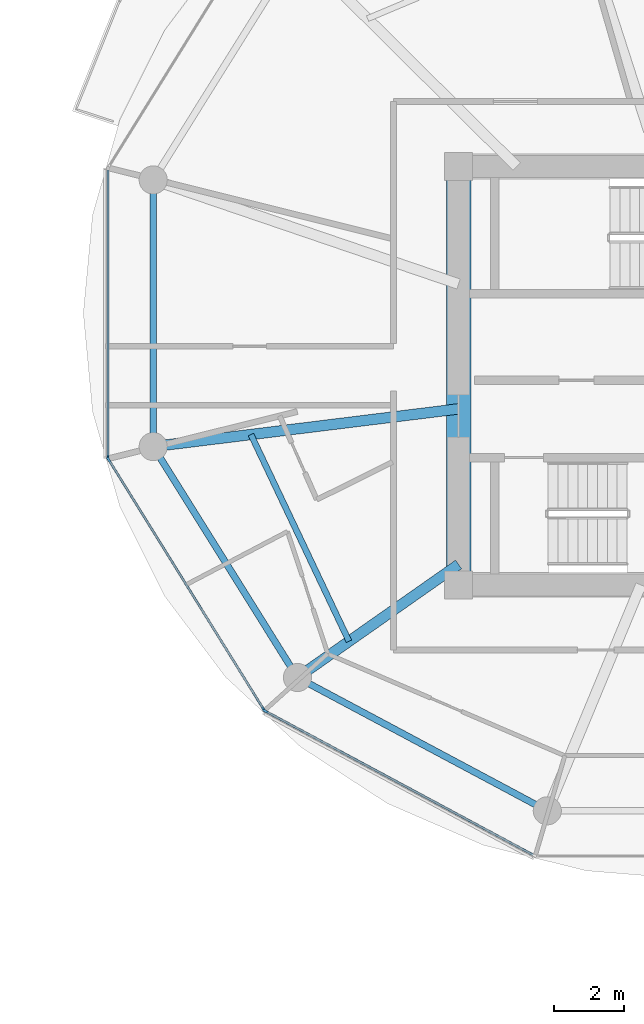
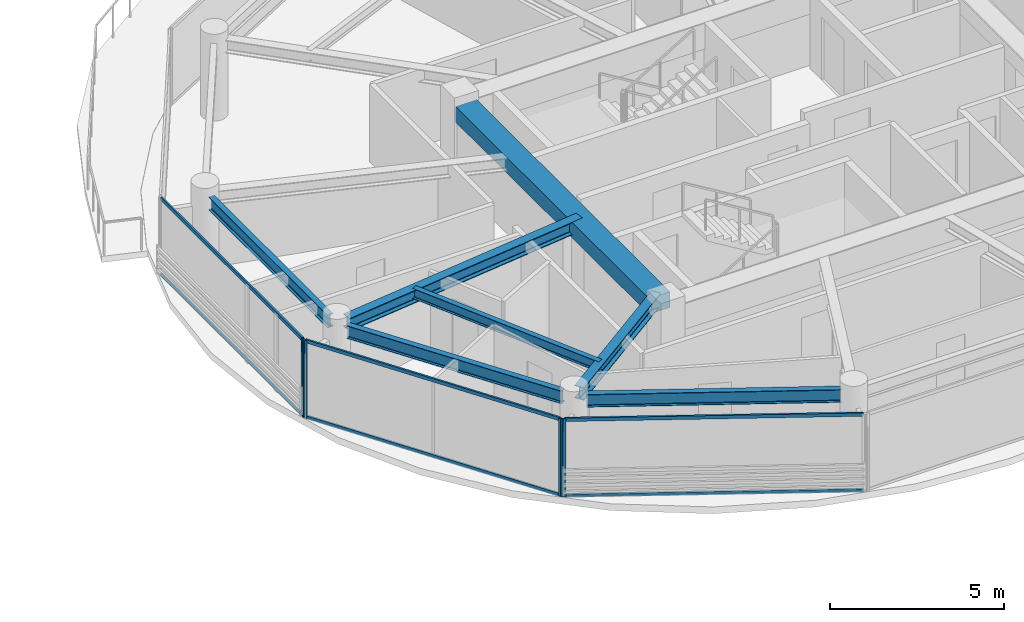
# One storey, part 6 of 22: 10 members, 7 beams, 3 elements without a shape of their own.
"""IFC4 building model written with IfcOpenShell, lengths in metres."""

from ifc_helpers import new_model, si_unit, direction, frame, origin, origin_2d, place, context, subcontext, project, spatial, rectangle, i_section, extrude, source, transform, mapped, material, layer, layer_set, material_profile, profile_set, type_object, type_shapes, element, aggregate, save


model = new_model("IFC4")

# Units and contexts
model_context = context("Model", 3, precision=1e-05, world=origin(), true_north=direction((0.0, 1.0)))
body_context = subcontext(model_context, "Body", "Model", "MODEL_VIEW")
ifc_project = project(units=[si_unit("LENGTHUNIT", "METRE"), si_unit("AREAUNIT", "SQUARE_METRE"), si_unit("VOLUMEUNIT", "CUBIC_METRE"), si_unit("PLANEANGLEUNIT", "RADIAN"), si_unit("MASSUNIT", "GRAM", prefix="KILO")], contexts=[model_context])

# Site, building, storey
site_placement = place(None, origin())
site = spatial("IfcSite", under=ifc_project, at=site_placement, CompositionType="ELEMENT")
building_placement = place(site_placement, origin())
building = spatial("IfcBuilding", under=site, at=building_placement, Name="Norrkilde Senior Care Towers", CompositionType="ELEMENT")
storey_placement = place(building_placement, frame((0.0, 0.0, 183.10009765625)))
storey = spatial("IfcBuildingStorey", under=building, at=storey_placement, Name="L57", CompositionType="ELEMENT", Elevation=183.10009765625)

# Beams
ifc_material_1 = material(Name="Concrete C60/75", Category="concrete")
ifc_material_profile_1 = material_profile(ifc_material_1, rectangle(XDim=0.699951171875, YDim=0.550048828125, at=origin_2d()), Name="RC BM 700x550")
ifc_profile_set_1 = profile_set([ifc_material_profile_1], Name="Concrete C60/75")
beam_type_1 = type_object("IfcBeamType", Name="Core Portal Coupling Beam 700x550", PredefinedType="USERDEFINED", material=ifc_profile_set_1)
shared_shape_1 = source(origin(), body_context, "Body", "SweptSolid", [
    extrude(rectangle(XDim=0.699951171875, YDim=0.550048828125, at=origin_2d()), origin(), (0.0, 0.0, 1.0), 11.14013671875),
])
type_shapes(beam_type_1, [shared_shape_1])
beam_1_placement = place(storey_placement, frame((20.35009765625, -5.570068359375, 2.454833984375), z_axis=(0.0, 1.0, 0.0), x_axis=(-1.0, 0.0, 0.0)))
element("IfcBeam", 1, at=beam_1_placement, inside=storey, type_object=beam_type_1, Name="L57 Core E W Coupling Girder", ObjectType="GIRDER", PredefinedType="USERDEFINED", context=body_context, shape_type="MappedRepresentation", body=[
    mapped(shared_shape_1, transform((0.0, 0.0, 0.0), x_axis=(1.0, 0.0, 0.0), y_axis=(0.0, 1.0, 0.0), z_axis=(0.0, 0.0, 1.0), scale=1.0)),
])
ifc_material_2 = material(Name="Steel S355", Category="steel")
ifc_material_profile_2 = material_profile(ifc_material_2, i_section(OverallWidth=0.18994140625, OverallDepth=0.449951171875, WebThickness=0.009521484375, FlangeThickness=0.0146484375, FilletRadius=0.02099609375, at=origin_2d()), Name="IPE 450")
ifc_profile_set_2 = profile_set([ifc_material_profile_2], Name="Steel S355")
beam_type_2 = type_object("IfcBeamType", Name="Perimeter Ring Spandrel Z3 IPE450", PredefinedType="SPANDREL", material=ifc_profile_set_2)
shared_shape_2 = source(origin(), body_context, "Body", "SweptSolid", [
    extrude(i_section(OverallWidth=0.18994140625, OverallDepth=0.449951171875, WebThickness=0.009521484375, FlangeThickness=0.0146484375, FilletRadius=0.02099609375, at=origin_2d()), origin(), (0.0, 0.0, 1.0), 6.86328125),
])
beam_2_placement = place(storey_placement, frame((11.6650390625, 5.20703125, 2.5048828125), z_axis=(0.0, -1.0, 0.0), x_axis=(1.0, 0.0, 0.0)))
element("IfcBeam", 2, at=beam_2_placement, inside=storey, type_object=beam_type_2, Name="L57 Drum E Perimeter Spandrel 06", PredefinedType="SPANDREL", context=body_context, shape_type="MappedRepresentation", body=[
    mapped(shared_shape_2, transform((0.0, 0.0, 0.0), x_axis=(1.0, 0.0, 0.0), y_axis=(0.0, 1.0, 0.0), z_axis=(0.0, 0.0, 1.0), scale=1.0)),
])
shared_shape_3 = source(origin(), body_context, "Body", "SweptSolid", [
    extrude(i_section(OverallWidth=0.18994140625, OverallDepth=0.449951171875, WebThickness=0.009521484375, FlangeThickness=0.0146484375, FilletRadius=0.02099609375, at=origin_2d()), origin(), (0.0, 0.0, 1.0), 7.023193359375),
])
beam_3_placement = place(storey_placement, frame((11.855712890625, -2.32177734375, 2.5048828125), z_axis=(0.529805197269, -0.848119362441, 0.0), x_axis=(0.848119362441, 0.529805197269, 0.0)))
element("IfcBeam", 3, at=beam_3_placement, inside=storey, type_object=beam_type_2, Name="L57 Drum E Perimeter Spandrel 07", PredefinedType="SPANDREL", context=body_context, shape_type="MappedRepresentation", body=[
    mapped(shared_shape_3, transform((0.0, 0.0, 0.0), x_axis=(1.0, 0.0, 0.0), y_axis=(0.0, 1.0, 0.0), z_axis=(0.0, 0.0, 1.0), scale=1.0)),
])
shared_shape_4 = source(origin(), body_context, "Body", "SweptSolid", [
    extrude(i_section(OverallWidth=0.18994140625, OverallDepth=0.449951171875, WebThickness=0.009521484375, FlangeThickness=0.0146484375, FilletRadius=0.02099609375, at=origin_2d()), origin(), (0.0, 0.0, 1.0), 7.333984375),
])
type_shapes(beam_type_2, [shared_shape_2, shared_shape_3, shared_shape_4])
beam_4_placement = place(storey_placement, frame((16.0849609375, -8.753173828125, 2.5048828125), z_axis=(0.882234038987, -0.470811109101, 0.0), x_axis=(0.470811109101, 0.882234038987, 0.0)))
element("IfcBeam", 4, at=beam_4_placement, inside=storey, type_object=beam_type_2, Name="L57 Drum E Perimeter Spandrel 08", PredefinedType="SPANDREL", context=body_context, shape_type="MappedRepresentation", body=[
    mapped(shared_shape_4, transform((0.0, 0.0, 0.0), x_axis=(1.0, 0.0, 0.0), y_axis=(0.0, 1.0, 0.0), z_axis=(0.0, 0.0, 1.0), scale=1.0)),
])
ifc_material_profile_3 = material_profile(ifc_material_2, i_section(OverallWidth=0.300048828125, OverallDepth=0.449951171875, WebThickness=0.013916015625, FlangeThickness=0.02587890625, FilletRadius=0.027099609375, at=origin_2d()), Name="HEB 450")
ifc_profile_set_3 = profile_set([ifc_material_profile_3], Name="Steel S355")
beam_type_3 = type_object("IfcBeamType", Name="Radial Floor Beam Z3 HEB450", PredefinedType="BEAM", material=ifc_profile_set_3)
shared_shape_5 = source(origin(), body_context, "Body", "SweptSolid", [
    extrude(i_section(OverallWidth=0.300048828125, OverallDepth=0.449951171875, WebThickness=0.013916015625, FlangeThickness=0.02587890625, FilletRadius=0.027099609375, at=origin_2d()), origin(), (0.0, 0.0, 1.0), 5.23828125),
])
beam_5_placement = place(storey_placement, frame((20.35009765625, -5.3681640625, 2.5048828125), z_axis=(-0.818592061291, -0.574375345215, 0.0), x_axis=(0.574375345215, -0.818592061291, 0.0)))
element("IfcBeam", 5, at=beam_5_placement, inside=storey, type_object=beam_type_3, Name="L57 Drum E Radial Floor Beam 08", PredefinedType="BEAM", context=body_context, shape_type="MappedRepresentation", body=[
    mapped(shared_shape_5, transform((0.0, 0.0, 0.0), x_axis=(1.0, 0.0, 0.0), y_axis=(0.0, 1.0, 0.0), z_axis=(0.0, 0.0, 1.0), scale=1.0)),
])
shared_shape_6 = source(origin(), body_context, "Body", "SweptSolid", [
    extrude(i_section(OverallWidth=0.300048828125, OverallDepth=0.449951171875, WebThickness=0.013916015625, FlangeThickness=0.02587890625, FilletRadius=0.027099609375, at=origin_2d()), origin(), (0.0, 0.0, 1.0), 8.390869140625),
])
type_shapes(beam_type_3, [shared_shape_5, shared_shape_6])
beam_6_placement = place(storey_placement, frame((20.35009765625, -0.9443359375, 2.5048828125), z_axis=(-0.99246916403, -0.122494728249, 0.0), x_axis=(0.122494728249, -0.99246916403, 0.0)))
element("IfcBeam", 6, at=beam_6_placement, inside=storey, type_object=beam_type_3, Name="L57 Drum E Radial Floor Beam 07", PredefinedType="BEAM", context=body_context, shape_type="MappedRepresentation", body=[
    mapped(shared_shape_6, transform((0.0, 0.0, 0.0), x_axis=(1.0, 0.0, 0.0), y_axis=(0.0, 1.0, 0.0), z_axis=(0.0, 0.0, 1.0), scale=1.0)),
])
ifc_material_profile_4 = material_profile(ifc_material_2, i_section(OverallWidth=0.169921875, OverallDepth=0.360107421875, WebThickness=0.008056640625, FlangeThickness=0.0126953125, FilletRadius=0.01806640625, at=origin_2d()), Name="IPE 360")
ifc_profile_set_4 = profile_set([ifc_material_profile_4], Name="Steel S355")
beam_type_4 = type_object("IfcBeamType", Name="Secondary Floor Joist IPE360", PredefinedType="JOIST", material=ifc_profile_set_4)
shared_shape_7 = source(origin(), body_context, "Body", "SweptSolid", [
    extrude(i_section(OverallWidth=0.169921875, OverallDepth=0.360107421875, WebThickness=0.008056640625, FlangeThickness=0.0126953125, FilletRadius=0.01806640625, at=origin_2d()), origin(), (0.0, 0.0, 1.0), 6.50927734375),
])
type_shapes(beam_type_4, [shared_shape_7])
beam_7_placement = place(storey_placement, frame((14.4443359375, -1.67333984375, 2.5498046875), z_axis=(0.428544169129, -0.90352083269, 0.0), x_axis=(0.90352083269, 0.428544169129, 0.0)))
element("IfcBeam", 7, at=beam_7_placement, inside=storey, type_object=beam_type_4, Name="L57 Drum E Secondary Floor Joist 3", PredefinedType="JOIST", context=body_context, shape_type="MappedRepresentation", body=[
    mapped(shared_shape_7, transform((0.0, 0.0, 0.0), x_axis=(1.0, 0.0, 0.0), y_axis=(0.0, 1.0, 0.0), z_axis=(0.0, 0.0, 1.0), scale=1.0)),
])

# Curtain wall, members
ifc_material_3 = material(Name="Triple Low-E Insulated Glazing", Category="glass")
ifc_layer = layer(ifc_material_3, 0.18994140625)
ifc_layer_set = layer_set([ifc_layer], Name="Triple Low-E Insulated Glazing")
curtain_wall_type = type_object("IfcCurtainWallType", Name="CW4 Zone 3 Senior Residence Curtain Wall", PredefinedType="NOTDEFINED", material=ifc_layer_set)
curtain_wall_1_placement = place(storey_placement, origin())
curtain_wall_1 = element("IfcCurtainWall", 8, at=curtain_wall_1_placement, inside=storey, type_object=curtain_wall_type, Name="L57 Drum E Curtain Wall 06", PredefinedType="NOTDEFINED")
ifc_material_4 = material(Name="Anodised Aluminium", Category="aluminium")
ifc_material_profile_5 = material_profile(ifc_material_4, rectangle(XDim=0.06005859375, YDim=0.1201171875, at=origin_2d()), Name="ALU TRAN 60x120")
ifc_profile_set_5 = profile_set([ifc_material_profile_5], Name="Anodised Aluminium")
member_type_1 = type_object("IfcMemberType", Name="Curtain Wall Transom Typical 60x120", PredefinedType="USERDEFINED", material=ifc_profile_set_5)
shared_shape_8 = source(origin(), body_context, "Body", "SweptSolid", [
    extrude(rectangle(XDim=0.06005859375, YDim=0.1201171875, at=origin_2d()), origin(), (0.0, 0.0, 1.0), 8.301513671875),
])
member_1_placement = place(storey_placement, frame((14.792724609375, -9.468994140625, 0.02978515625), z_axis=(-0.527368718394, 0.849636531029, 0.0), x_axis=(-0.849636531029, -0.527368718394, 0.0)))
member_1 = element("IfcMember", 9, at=member_1_placement, type_object=member_type_1, Name="CW-4 transom 1.1", ObjectType="TRANSOM", PredefinedType="USERDEFINED", context=body_context, shape_type="MappedRepresentation", body=[
    mapped(shared_shape_8, transform((0.0, 0.0, 0.0), x_axis=(1.0, 0.0, 0.0), y_axis=(0.0, 1.0, 0.0), z_axis=(0.0, 0.0, 1.0), scale=1.0)),
])
member_2_placement = place(storey_placement, frame((14.792724609375, -9.468994140625, 2.699951171875), z_axis=(-0.527368718394, 0.849636531029, 0.0), x_axis=(-0.849636531029, -0.527368718394, 0.0)))
member_2 = element("IfcMember", 10, at=member_2_placement, type_object=member_type_1, Name="CW-4 transom 1.2", ObjectType="TRANSOM", PredefinedType="USERDEFINED", context=body_context, shape_type="MappedRepresentation", body=[
    mapped(shared_shape_8, transform((0.0, 0.0, 0.0), x_axis=(1.0, 0.0, 0.0), y_axis=(0.0, 1.0, 0.0), z_axis=(0.0, 0.0, 1.0), scale=1.0)),
])

curtain_wall_2_placement = place(storey_placement, origin())
curtain_wall_2 = element("IfcCurtainWall", 11, at=curtain_wall_2_placement, inside=storey, type_object=curtain_wall_type, Name="L57 Drum E Curtain Wall 07", PredefinedType="NOTDEFINED")
shared_shape_9 = source(origin(), body_context, "Body", "SweptSolid", [
    extrude(rectangle(XDim=0.06005859375, YDim=0.1201171875, at=origin_2d()), origin(), (0.0, 0.0, 1.0), 8.61181640625),
])
member_3_placement = place(storey_placement, frame((22.47119140625, -13.62939453125, 0.02978515625), z_axis=(-0.880993991641, 0.473127452906, 0.0), x_axis=(-0.473127452906, -0.880993991641, 0.0)))
member_3 = element("IfcMember", 12, at=member_3_placement, type_object=member_type_1, Name="CW-4 transom 1.1", ObjectType="TRANSOM", PredefinedType="USERDEFINED", context=body_context, shape_type="MappedRepresentation", body=[
    mapped(shared_shape_9, transform((0.0, 0.0, 0.0), x_axis=(1.0, 0.0, 0.0), y_axis=(0.0, 1.0, 0.0), z_axis=(0.0, 0.0, 1.0), scale=1.0)),
])
member_4_placement = place(storey_placement, frame((22.47119140625, -13.62939453125, 2.699951171875), z_axis=(-0.880993991641, 0.473127452906, 0.0), x_axis=(-0.473127452906, -0.880993991641, 0.0)))
member_4 = element("IfcMember", 13, at=member_4_placement, type_object=member_type_1, Name="CW-4 transom 1.2", ObjectType="TRANSOM", PredefinedType="USERDEFINED", context=body_context, shape_type="MappedRepresentation", body=[
    mapped(shared_shape_9, transform((0.0, 0.0, 0.0), x_axis=(1.0, 0.0, 0.0), y_axis=(0.0, 1.0, 0.0), z_axis=(0.0, 0.0, 1.0), scale=1.0)),
])

curtain_wall_3_placement = place(storey_placement, origin())
curtain_wall_3 = element("IfcCurtainWall", 14, at=curtain_wall_3_placement, inside=storey, type_object=curtain_wall_type, Name="L57 Drum E Curtain Wall 05", PredefinedType="NOTDEFINED")
shared_shape_10 = source(origin(), body_context, "Body", "SweptSolid", [
    extrude(rectangle(XDim=0.06005859375, YDim=0.1201171875, at=origin_2d()), origin(), (0.0, 0.0, 1.0), 8.141845703125),
])
type_shapes(member_type_1, [shared_shape_8, shared_shape_9, shared_shape_10])
member_5_placement = place(storey_placement, frame((10.38037109375, -2.295654296875, 0.02978515625), z_axis=(0.0, 1.0, 0.0), x_axis=(-1.0, 0.0, 0.0)))
member_5 = element("IfcMember", 15, at=member_5_placement, type_object=member_type_1, Name="CW-4 transom 1.1", ObjectType="TRANSOM", PredefinedType="USERDEFINED", context=body_context, shape_type="MappedRepresentation", body=[
    mapped(shared_shape_10, transform((0.0, 0.0, 0.0), x_axis=(1.0, 0.0, 0.0), y_axis=(0.0, 1.0, 0.0), z_axis=(0.0, 0.0, 1.0), scale=1.0)),
])
member_6_placement = place(storey_placement, frame((10.38037109375, -2.295654296875, 2.699951171875), z_axis=(0.0, 1.0, 0.0), x_axis=(-1.0, 0.0, 0.0)))
member_6 = element("IfcMember", 16, at=member_6_placement, type_object=member_type_1, Name="CW-4 transom 1.2", ObjectType="TRANSOM", PredefinedType="USERDEFINED", context=body_context, shape_type="MappedRepresentation", body=[
    mapped(shared_shape_10, transform((0.0, 0.0, 0.0), x_axis=(1.0, 0.0, 0.0), y_axis=(0.0, 1.0, 0.0), z_axis=(0.0, 0.0, 1.0), scale=1.0)),
])
ifc_material_profile_6 = material_profile(ifc_material_4, rectangle(XDim=0.06494140625, YDim=0.14990234375, at=origin_2d()), Name="ALU MULL 65x150")
ifc_profile_set_6 = profile_set([ifc_material_profile_6], Name="Anodised Aluminium")
member_type_2 = type_object("IfcMemberType", Name="Curtain Wall Mullion Z3-Z4 65x150", PredefinedType="MULLION", material=ifc_profile_set_6)
shared_shape_11 = source(origin(), body_context, "Body", "SweptSolid", [
    extrude(rectangle(XDim=0.06494140625, YDim=0.14990234375, at=origin_2d()), origin(), (0.0, 0.0, 1.0), 2.72998046875),
])
type_shapes(member_type_2, [shared_shape_11])
member_7_placement = place(storey_placement, frame((10.38037109375, -2.328125, 0.0), z_axis=(0.0, 0.0, 1.0), x_axis=(-1.0, 0.0, 0.0)))
member_7 = element("IfcMember", 17, at=member_7_placement, type_object=member_type_2, Name="CW-4 mullion 1", PredefinedType="MULLION", context=body_context, shape_type="MappedRepresentation", body=[
    mapped(shared_shape_11, transform((0.0, 0.0, 0.0), x_axis=(1.0, 0.0, 0.0), y_axis=(0.0, 1.0, 0.0), z_axis=(0.0, 0.0, 1.0), scale=1.0)),
])
aggregate(curtain_wall_3, [member_7, member_5, member_6])

# Member
member_8_placement = place(storey_placement, frame((14.809814453125, -9.49658203125, 0.0), z_axis=(0.0, 0.0, 1.0), x_axis=(-0.84963405474, -0.52737270789, 0.0)))
member_8 = element("IfcMember", 18, at=member_8_placement, type_object=member_type_2, Name="CW-4 mullion 1", PredefinedType="MULLION", context=body_context, shape_type="MappedRepresentation", body=[
    mapped(shared_shape_11, transform((0.0, 0.0, 0.0), x_axis=(1.0, 0.0, 0.0), y_axis=(0.0, 1.0, 0.0), z_axis=(0.0, 0.0, 1.0), scale=1.0)),
])

member_9_placement = place(storey_placement, frame((10.3974609375, -2.38818359375, 0.0), z_axis=(0.0, 0.0, 1.0), x_axis=(-0.84963405474, -0.52737270789, 0.0)))
member_9 = element("IfcMember", 19, at=member_9_placement, type_object=member_type_2, Name="CW-4 mullion 2", PredefinedType="MULLION", context=body_context, shape_type="MappedRepresentation", body=[
    mapped(shared_shape_11, transform((0.0, 0.0, 0.0), x_axis=(1.0, 0.0, 0.0), y_axis=(0.0, 1.0, 0.0), z_axis=(0.0, 0.0, 1.0), scale=1.0)),
])

aggregate(curtain_wall_1, [member_8, member_9, member_1, member_2])

member_10_placement = place(storey_placement, frame((14.85546875, -9.53955078125, 0.0), z_axis=(0.0, 0.0, 1.0), x_axis=(-0.47311715104, -0.880999524059, 0.0)))
member_10 = element("IfcMember", 20, at=member_10_placement, type_object=member_type_2, Name="CW-4 mullion 2", PredefinedType="MULLION", context=body_context, shape_type="MappedRepresentation", body=[
    mapped(shared_shape_11, transform((0.0, 0.0, 0.0), x_axis=(1.0, 0.0, 0.0), y_axis=(0.0, 1.0, 0.0), z_axis=(0.0, 0.0, 1.0), scale=1.0)),
])

aggregate(curtain_wall_2, [member_10, member_3, member_4])

save(model, "model.ifc")
